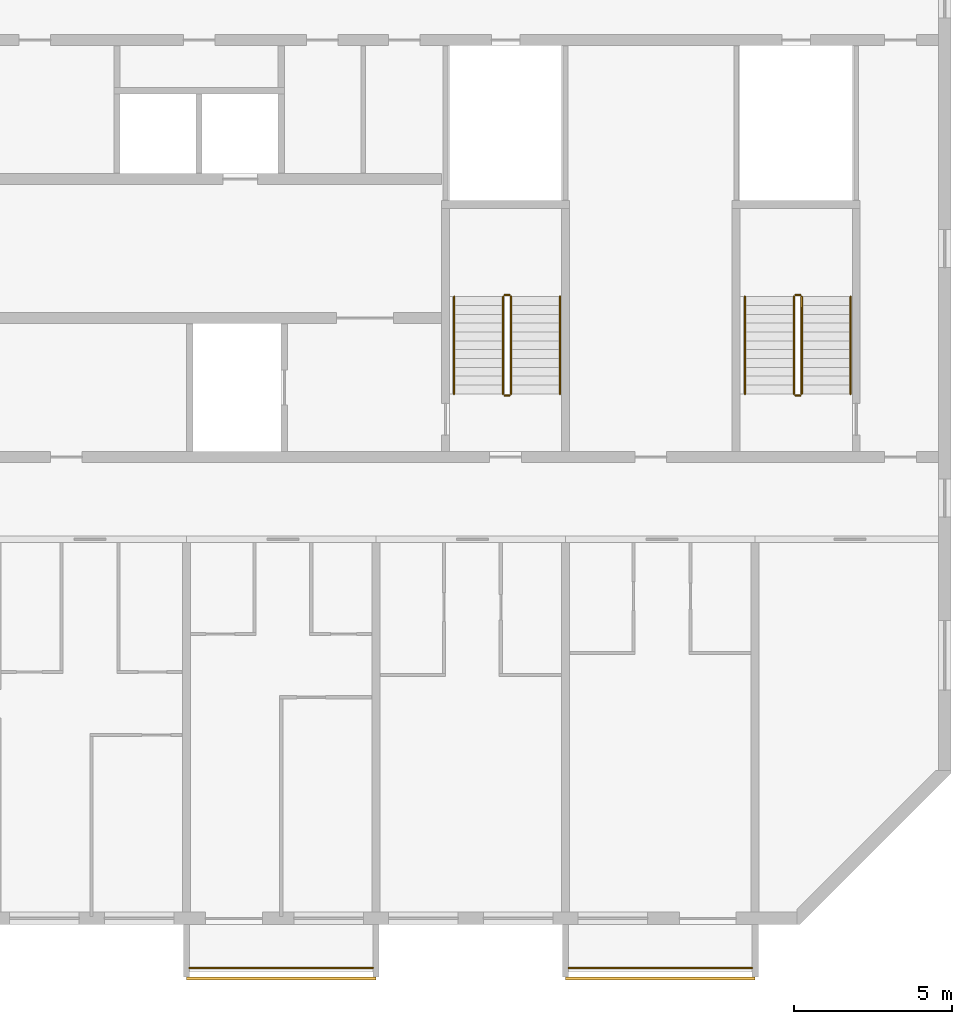
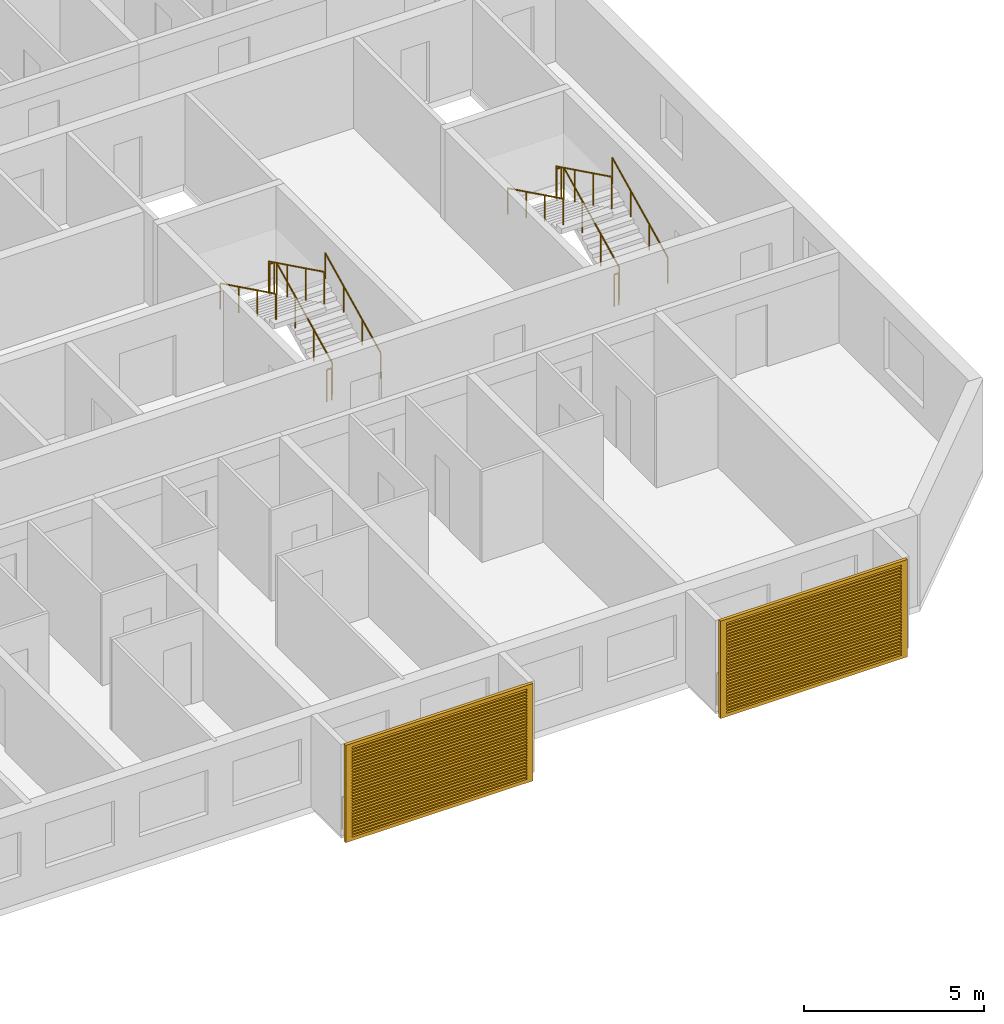
# One storey, part 14 of 26: 14 railings, 2 shading devices.
"""IFC4 building model written with IfcOpenShell, lengths in metres."""

from ifc_helpers import new_model, si_unit, direction, frame, origin, origin_2d, place, context, subcontext, project, spatial, polyline, circle, outline, extrude, source, transform, mapped, material, material_profile, profile_set, type_object, element, save


model = new_model("IFC4")

# Units and contexts
model_context = context("Model", 3, precision=1e-05, world=origin(), true_north=direction((0.0, 1.0)))
body_context = subcontext(model_context, "Body", "Model", "MODEL_VIEW")
ifc_project = project(units=[si_unit("LENGTHUNIT", "METRE"), si_unit("AREAUNIT", "SQUARE_METRE"), si_unit("VOLUMEUNIT", "CUBIC_METRE"), si_unit("PLANEANGLEUNIT", "RADIAN"), si_unit("MASSUNIT", "GRAM", prefix="KILO")], contexts=[model_context])

# Site, building, storey
site_placement = place(None, origin())
site = spatial("IfcSite", under=ifc_project, at=site_placement, CompositionType="ELEMENT")
building_placement = place(site_placement, origin())
building = spatial("IfcBuilding", under=site, at=building_placement, Name="Poui Terraces", CompositionType="ELEMENT")
storey_placement = place(building_placement, frame((0.0, 0.0, 241.199951171875)))
storey = spatial("IfcBuildingStorey", under=building, at=storey_placement, Name="L67", CompositionType="ELEMENT", Elevation=241.199951171875)

# Railings
ifc_material_1 = material(Name="Painted steel fretwork", Category="steel")
railing_type_1 = type_object("IfcRailingType", Name="BALCONY GUARD 1100", PredefinedType="GUARDRAIL", material=ifc_material_1)
for number, where, name in (
    (1, (60.10009765625, -1.570068359375, 0.0), "BALCONY GUARD"),
    (2, (72.10009765625, -1.570068359375, 0.0), "BALCONY GUARD"),
):
    element("IfcRailing", number, at=place(storey_placement, frame(where)), inside=storey, type_object=railing_type_1, Name=name, PredefinedType="GUARDRAIL", context=body_context, shape_type="SweptSolid", body=[
        extrude(circle(Radius=0.02392578125, at=origin_2d()), frame((0.0, 0.0, 1.076171875), z_axis=(1.0, 0.0, 0.0), x_axis=(0.0, 1.0, 0.0)), (0.0, 0.0, 1.0), 5.7998046875),
        extrude(circle(Radius=0.02099609375, at=origin_2d()), origin(), (0.0, 0.0, 1.0), 1.052001953125),
        extrude(circle(Radius=0.02099609375, at=origin_2d()), frame((0.966552734375, 0.0, 0.0)), (0.0, 0.0, 1.0), 1.052001953125),
        extrude(circle(Radius=0.02099609375, at=origin_2d()), frame((1.933349609375, 0.0, 0.0)), (0.0, 0.0, 1.0), 1.052001953125),
        extrude(circle(Radius=0.02099609375, at=origin_2d()), frame((2.89990234375, 0.0, 0.0)), (0.0, 0.0, 1.0), 1.052001953125),
        extrude(circle(Radius=0.02099609375, at=origin_2d()), frame((3.866455078125, 0.0, 0.0)), (0.0, 0.0, 1.0), 1.052001953125),
        extrude(circle(Radius=0.02099609375, at=origin_2d()), frame((4.833251953125, 0.0, 0.0)), (0.0, 0.0, 1.0), 1.052001953125),
        extrude(circle(Radius=0.02099609375, at=origin_2d()), frame((5.7998046875, 0.0, 0.0)), (0.0, 0.0, 1.0), 1.052001953125),
    ])
ifc_material_2 = material(Name="Galvanised steel balustrade", Category="steel")
railing_type_2 = type_object("IfcRailingType", Name="STAIR GUARD 1100", PredefinedType="GUARDRAIL", material=ifc_material_2)
railing_1_placement = place(storey_placement, frame((70.27490234375, 16.60009765625, 0.137451171875)))
element("IfcRailing", 3, at=railing_1_placement, inside=storey, type_object=railing_type_2, Name="L67 ST-CE stair guard 1", PredefinedType="GUARDRAIL", context=body_context, shape_type="SweptSolid", body=[
    extrude(circle(Radius=0.02392578125, at=origin_2d()), frame((0.0, 0.0, 1.076171875), z_axis=(0.0, 0.897578036475, 0.440855609512), x_axis=(-1.0, 0.0, 0.0)), (0.0, 0.0, 1.0), 3.43115234375),
    extrude(circle(Radius=0.02099609375, at=origin_2d()), origin(), (0.0, 0.0, 1.0), 1.052001953125),
    extrude(circle(Radius=0.02099609375, at=origin_2d()), frame((0.0, 1.026611328125, 0.504150390625)), (0.0, 0.0, 1.0), 1.052001953125),
    extrude(circle(Radius=0.02099609375, at=origin_2d()), frame((0.0, 2.05322265625, 1.008544921875)), (0.0, 0.0, 1.0), 1.052001953125),
    extrude(circle(Radius=0.02099609375, at=origin_2d()), frame((0.0, 3.079833984375, 1.5126953125)), (0.0, 0.0, 1.0), 1.052001953125),
])
railing_2_placement = place(storey_placement, frame((70.22509765625, 19.72998046875, 1.650146484375)))
element("IfcRailing", 4, at=railing_2_placement, inside=storey, type_object=railing_type_2, Name="L67 ST-CE stair guard 2", PredefinedType="GUARDRAIL", context=body_context, shape_type="SweptSolid", body=[
    extrude(circle(Radius=0.02392578125, at=origin_2d()), frame((0.0, 0.0, 1.076171875), z_axis=(-1.0, 0.0, 0.0), x_axis=(0.0, -1.0, 0.0)), (0.0, 0.0, 1.0), 0.150146484375),
    extrude(circle(Radius=0.02099609375, at=origin_2d()), origin(), (0.0, 0.0, 1.0), 1.052001953125),
    extrude(circle(Radius=0.02099609375, at=origin_2d()), frame((-0.150146484375, 0.0, 0.0)), (0.0, 0.0, 1.0), 1.052001953125),
])
railing_3_placement = place(storey_placement, frame((70.02490234375, 19.679931640625, 1.78759765625)))
element("IfcRailing", 5, at=railing_3_placement, inside=storey, type_object=railing_type_2, Name="L67 ST-CE stair guard 3", PredefinedType="GUARDRAIL", context=body_context, shape_type="SweptSolid", body=[
    extrude(circle(Radius=0.02392578125, at=origin_2d()), frame((0.0, 0.0, 1.076171875), z_axis=(0.0, -0.897606190399, 0.440798283751), x_axis=(1.0, 0.0, 0.0)), (0.0, 0.0, 1.0), 3.43115234375),
    extrude(circle(Radius=0.02099609375, at=origin_2d()), origin(), (0.0, 0.0, 1.0), 1.052001953125),
    extrude(circle(Radius=0.02099609375, at=origin_2d()), frame((0.0, -1.026611328125, 0.504150390625)), (0.0, 0.0, 1.0), 1.052001953125),
    extrude(circle(Radius=0.02099609375, at=origin_2d()), frame((0.0, -2.05322265625, 1.00830078125)), (0.0, 0.0, 1.0), 1.052001953125),
    extrude(circle(Radius=0.02099609375, at=origin_2d()), frame((0.0, -3.079833984375, 1.512451171875)), (0.0, 0.0, 1.0), 1.052001953125),
])
railing_4_placement = place(storey_placement, frame((70.22509765625, 16.550048828125, 0.0)))
element("IfcRailing", 6, at=railing_4_placement, inside=storey, type_object=railing_type_2, Name="L67 ST-CE stair guard 4", PredefinedType="GUARDRAIL", context=body_context, shape_type="SweptSolid", body=[
    extrude(circle(Radius=0.02392578125, at=origin_2d()), frame((0.0, 0.0, 1.076171875), z_axis=(-1.0, 0.0, 0.0), x_axis=(0.0, -1.0, 0.0)), (0.0, 0.0, 1.0), 0.150146484375),
    extrude(circle(Radius=0.02099609375, at=origin_2d()), origin(), (0.0, 0.0, 1.0), 1.052001953125),
    extrude(circle(Radius=0.02099609375, at=origin_2d()), frame((-0.150146484375, 0.0, 0.0)), (0.0, 0.0, 1.0), 1.052001953125),
])
railing_5_placement = place(storey_placement, frame((79.47509765625, 16.60009765625, 0.137451171875)))
element("IfcRailing", 7, at=railing_5_placement, inside=storey, type_object=railing_type_2, Name="L67 ST-E stair guard 1", PredefinedType="GUARDRAIL", context=body_context, shape_type="SweptSolid", body=[
    extrude(circle(Radius=0.02392578125, at=origin_2d()), frame((0.0, 0.0, 1.076171875), z_axis=(0.0, 0.897578036475, 0.440855609512), x_axis=(-1.0, 0.0, 0.0)), (0.0, 0.0, 1.0), 3.43115234375),
    extrude(circle(Radius=0.02099609375, at=origin_2d()), origin(), (0.0, 0.0, 1.0), 1.052001953125),
    extrude(circle(Radius=0.02099609375, at=origin_2d()), frame((0.0, 1.026611328125, 0.504150390625)), (0.0, 0.0, 1.0), 1.052001953125),
    extrude(circle(Radius=0.02099609375, at=origin_2d()), frame((0.0, 2.05322265625, 1.008544921875)), (0.0, 0.0, 1.0), 1.052001953125),
    extrude(circle(Radius=0.02099609375, at=origin_2d()), frame((0.0, 3.079833984375, 1.5126953125)), (0.0, 0.0, 1.0), 1.052001953125),
])
railing_6_placement = place(storey_placement, frame((79.425048828125, 19.72998046875, 1.650146484375)))
element("IfcRailing", 8, at=railing_6_placement, inside=storey, type_object=railing_type_2, Name="L67 ST-E stair guard 2", PredefinedType="GUARDRAIL", context=body_context, shape_type="SweptSolid", body=[
    extrude(circle(Radius=0.02392578125, at=origin_2d()), frame((0.0, 0.0, 1.076171875), z_axis=(-1.0, 0.0, 0.0), x_axis=(0.0, -1.0, 0.0)), (0.0, 0.0, 1.0), 0.150146484375),
    extrude(circle(Radius=0.02099609375, at=origin_2d()), origin(), (0.0, 0.0, 1.0), 1.052001953125),
    extrude(circle(Radius=0.02099609375, at=origin_2d()), frame((-0.150146484375, 0.0, 0.0)), (0.0, 0.0, 1.0), 1.052001953125),
])
railing_7_placement = place(storey_placement, frame((79.22509765625, 19.679931640625, 1.78759765625)))
element("IfcRailing", 9, at=railing_7_placement, inside=storey, type_object=railing_type_2, Name="L67 ST-E stair guard 3", PredefinedType="GUARDRAIL", context=body_context, shape_type="SweptSolid", body=[
    extrude(circle(Radius=0.02392578125, at=origin_2d()), frame((0.0, 0.0, 1.076171875), z_axis=(0.0, -0.897606190399, 0.440798283751), x_axis=(1.0, 0.0, 0.0)), (0.0, 0.0, 1.0), 3.43115234375),
    extrude(circle(Radius=0.02099609375, at=origin_2d()), origin(), (0.0, 0.0, 1.0), 1.052001953125),
    extrude(circle(Radius=0.02099609375, at=origin_2d()), frame((0.0, -1.026611328125, 0.504150390625)), (0.0, 0.0, 1.0), 1.052001953125),
    extrude(circle(Radius=0.02099609375, at=origin_2d()), frame((0.0, -2.05322265625, 1.00830078125)), (0.0, 0.0, 1.0), 1.052001953125),
    extrude(circle(Radius=0.02099609375, at=origin_2d()), frame((0.0, -3.079833984375, 1.512451171875)), (0.0, 0.0, 1.0), 1.052001953125),
])
railing_8_placement = place(storey_placement, frame((79.425048828125, 16.550048828125, 0.0)))
element("IfcRailing", 10, at=railing_8_placement, inside=storey, type_object=railing_type_2, Name="L67 ST-E stair guard 4", PredefinedType="GUARDRAIL", context=body_context, shape_type="SweptSolid", body=[
    extrude(circle(Radius=0.02392578125, at=origin_2d()), frame((0.0, 0.0, 1.076171875), z_axis=(-1.0, 0.0, 0.0), x_axis=(0.0, -1.0, 0.0)), (0.0, 0.0, 1.0), 0.150146484375),
    extrude(circle(Radius=0.02099609375, at=origin_2d()), origin(), (0.0, 0.0, 1.0), 1.052001953125),
    extrude(circle(Radius=0.02099609375, at=origin_2d()), frame((-0.150146484375, 0.0, 0.0)), (0.0, 0.0, 1.0), 1.052001953125),
])
ifc_material_3 = material(Name="Stainless steel handrail", Category="steel")
railing_type_3 = type_object("IfcRailingType", Name="STAIR HANDRAIL 900", PredefinedType="HANDRAIL", material=ifc_material_3)
railing_9_placement = place(storey_placement, frame((71.824951171875, 16.60009765625, 0.137451171875)))
element("IfcRailing", 11, at=railing_9_placement, inside=storey, type_object=railing_type_3, Name="L67 ST-CE stair handrail 1", PredefinedType="HANDRAIL", context=body_context, shape_type="SweptSolid", body=[
    extrude(circle(Radius=0.02392578125, at=origin_2d()), frame((0.0, 0.0, 0.8759765625), z_axis=(0.0, 0.897578036475, 0.440855609512), x_axis=(-1.0, 0.0, 0.0)), (0.0, 0.0, 1.0), 3.43115234375),
    extrude(circle(Radius=0.02099609375, at=origin_2d()), origin(), (0.0, 0.0, 1.0), 0.851806640625),
    extrude(circle(Radius=0.02099609375, at=origin_2d()), frame((0.0, 1.026611328125, 0.504150390625)), (0.0, 0.0, 1.0), 0.851806640625),
    extrude(circle(Radius=0.02099609375, at=origin_2d()), frame((0.0, 2.05322265625, 1.008544921875)), (0.0, 0.0, 1.0), 0.851806640625),
    extrude(circle(Radius=0.02099609375, at=origin_2d()), frame((0.0, 3.079833984375, 1.5126953125)), (0.0, 0.0, 1.0), 0.851806640625),
])
railing_10_placement = place(storey_placement, frame((68.47509765625, 19.679931640625, 1.78759765625)))
element("IfcRailing", 12, at=railing_10_placement, inside=storey, type_object=railing_type_3, Name="L67 ST-CE stair handrail 2", PredefinedType="HANDRAIL", context=body_context, shape_type="SweptSolid", body=[
    extrude(circle(Radius=0.02392578125, at=origin_2d()), frame((0.0, 0.0, 0.8759765625), z_axis=(0.0, -0.897606190399, 0.440798283751), x_axis=(1.0, 0.0, 0.0)), (0.0, 0.0, 1.0), 3.43115234375),
    extrude(circle(Radius=0.02099609375, at=origin_2d()), origin(), (0.0, 0.0, 1.0), 0.851806640625),
    extrude(circle(Radius=0.02099609375, at=origin_2d()), frame((0.0, -1.026611328125, 0.504150390625)), (0.0, 0.0, 1.0), 0.851806640625),
    extrude(circle(Radius=0.02099609375, at=origin_2d()), frame((0.0, -2.05322265625, 1.00830078125)), (0.0, 0.0, 1.0), 0.851806640625),
    extrude(circle(Radius=0.02099609375, at=origin_2d()), frame((0.0, -3.079833984375, 1.512451171875)), (0.0, 0.0, 1.0), 0.851806640625),
])
railing_11_placement = place(storey_placement, frame((81.02490234375, 16.60009765625, 0.137451171875)))
element("IfcRailing", 13, at=railing_11_placement, inside=storey, type_object=railing_type_3, Name="L67 ST-E stair handrail 1", PredefinedType="HANDRAIL", context=body_context, shape_type="SweptSolid", body=[
    extrude(circle(Radius=0.02392578125, at=origin_2d()), frame((0.0, 0.0, 0.8759765625), z_axis=(0.0, 0.897578036475, 0.440855609512), x_axis=(-1.0, 0.0, 0.0)), (0.0, 0.0, 1.0), 3.43115234375),
    extrude(circle(Radius=0.02099609375, at=origin_2d()), origin(), (0.0, 0.0, 1.0), 0.851806640625),
    extrude(circle(Radius=0.02099609375, at=origin_2d()), frame((0.0, 1.026611328125, 0.504150390625)), (0.0, 0.0, 1.0), 0.851806640625),
    extrude(circle(Radius=0.02099609375, at=origin_2d()), frame((0.0, 2.05322265625, 1.008544921875)), (0.0, 0.0, 1.0), 0.851806640625),
    extrude(circle(Radius=0.02099609375, at=origin_2d()), frame((0.0, 3.079833984375, 1.5126953125)), (0.0, 0.0, 1.0), 0.851806640625),
])
railing_12_placement = place(storey_placement, frame((77.675048828125, 19.679931640625, 1.78759765625)))
element("IfcRailing", 14, at=railing_12_placement, inside=storey, type_object=railing_type_3, Name="L67 ST-E stair handrail 2", PredefinedType="HANDRAIL", context=body_context, shape_type="SweptSolid", body=[
    extrude(circle(Radius=0.02392578125, at=origin_2d()), frame((0.0, 0.0, 0.8759765625), z_axis=(0.0, -0.897606190399, 0.440798283751), x_axis=(1.0, 0.0, 0.0)), (0.0, 0.0, 1.0), 3.43115234375),
    extrude(circle(Radius=0.02099609375, at=origin_2d()), origin(), (0.0, 0.0, 1.0), 0.851806640625),
    extrude(circle(Radius=0.02099609375, at=origin_2d()), frame((0.0, -1.026611328125, 0.504150390625)), (0.0, 0.0, 1.0), 0.851806640625),
    extrude(circle(Radius=0.02099609375, at=origin_2d()), frame((0.0, -2.05322265625, 1.00830078125)), (0.0, 0.0, 1.0), 0.851806640625),
    extrude(circle(Radius=0.02099609375, at=origin_2d()), frame((0.0, -3.079833984375, 1.512451171875)), (0.0, 0.0, 1.0), 0.851806640625),
])

# Shading devices
ifc_material_4 = material(Name="Aluminium louvre", Category="aluminium")
ifc_material_profile = material_profile(ifc_material_4, outline(polyline([(-3.0, -1.64990234375), (3.0, -1.64990234375), (3.0, 1.64990234375), (-3.0, 1.64990234375), (-3.0, -1.64990234375)]), holes=[polyline([(-2.800048828125, -1.530029296875), (2.800048828125, -1.530029296875), (2.800048828125, -1.469970703125), (-2.800048828125, -1.469970703125), (-2.800048828125, -1.530029296875)]), polyline([(-2.800048828125, -1.429931640625), (2.800048828125, -1.429931640625), (2.800048828125, -1.3701171875), (-2.800048828125, -1.3701171875), (-2.800048828125, -1.429931640625)]), polyline([(-2.800048828125, -1.330078125), (2.800048828125, -1.330078125), (2.800048828125, -1.27001953125), (-2.800048828125, -1.27001953125), (-2.800048828125, -1.330078125)]), polyline([(-2.800048828125, -1.22998046875), (2.800048828125, -1.22998046875), (2.800048828125, -1.169921875), (-2.800048828125, -1.169921875), (-2.800048828125, -1.22998046875)]), polyline([(-2.800048828125, -1.1298828125), (2.800048828125, -1.1298828125), (2.800048828125, -1.070068359375), (-2.800048828125, -1.070068359375), (-2.800048828125, -1.1298828125)]), polyline([(-2.800048828125, -1.030029296875), (2.800048828125, -1.030029296875), (2.800048828125, -0.969970703125), (-2.800048828125, -0.969970703125), (-2.800048828125, -1.030029296875)]), polyline([(-2.800048828125, -0.929931640625), (2.800048828125, -0.929931640625), (2.800048828125, -0.8701171875), (-2.800048828125, -0.8701171875), (-2.800048828125, -0.929931640625)]), polyline([(-2.800048828125, -0.830078125), (2.800048828125, -0.830078125), (2.800048828125, -0.77001953125), (-2.800048828125, -0.77001953125), (-2.800048828125, -0.830078125)]), polyline([(-2.800048828125, -0.72998046875), (2.800048828125, -0.72998046875), (2.800048828125, -0.669921875), (-2.800048828125, -0.669921875), (-2.800048828125, -0.72998046875)]), polyline([(-2.800048828125, -0.6298828125), (2.800048828125, -0.6298828125), (2.800048828125, -0.570068359375), (-2.800048828125, -0.570068359375), (-2.800048828125, -0.6298828125)]), polyline([(-2.800048828125, -0.530029296875), (2.800048828125, -0.530029296875), (2.800048828125, -0.469970703125), (-2.800048828125, -0.469970703125), (-2.800048828125, -0.530029296875)]), polyline([(-2.800048828125, -0.429931640625), (2.800048828125, -0.429931640625), (2.800048828125, -0.3701171875), (-2.800048828125, -0.3701171875), (-2.800048828125, -0.429931640625)]), polyline([(-2.800048828125, -0.330078125), (2.800048828125, -0.330078125), (2.800048828125, -0.27001953125), (-2.800048828125, -0.27001953125), (-2.800048828125, -0.330078125)]), polyline([(-2.800048828125, -0.22998046875), (2.800048828125, -0.22998046875), (2.800048828125, -0.169921875), (-2.800048828125, -0.169921875), (-2.800048828125, -0.22998046875)]), polyline([(-2.800048828125, -0.1298828125), (2.800048828125, -0.1298828125), (2.800048828125, -0.070068359375), (-2.800048828125, -0.070068359375), (-2.800048828125, -0.1298828125)]), polyline([(-2.800048828125, -0.030029296875), (2.800048828125, -0.030029296875), (2.800048828125, 0.030029296875), (-2.800048828125, 0.030029296875), (-2.800048828125, -0.030029296875)]), polyline([(-2.800048828125, 0.070068359375), (2.800048828125, 0.070068359375), (2.800048828125, 0.1298828125), (-2.800048828125, 0.1298828125), (-2.800048828125, 0.070068359375)]), polyline([(-2.800048828125, 0.169921875), (2.800048828125, 0.169921875), (2.800048828125, 0.22998046875), (-2.800048828125, 0.22998046875), (-2.800048828125, 0.169921875)]), polyline([(-2.800048828125, 0.27001953125), (2.800048828125, 0.27001953125), (2.800048828125, 0.330078125), (-2.800048828125, 0.330078125), (-2.800048828125, 0.27001953125)]), polyline([(-2.800048828125, 0.3701171875), (2.800048828125, 0.3701171875), (2.800048828125, 0.429931640625), (-2.800048828125, 0.429931640625), (-2.800048828125, 0.3701171875)]), polyline([(-2.800048828125, 0.469970703125), (2.800048828125, 0.469970703125), (2.800048828125, 0.530029296875), (-2.800048828125, 0.530029296875), (-2.800048828125, 0.469970703125)]), polyline([(-2.800048828125, 0.570068359375), (2.800048828125, 0.570068359375), (2.800048828125, 0.6298828125), (-2.800048828125, 0.6298828125), (-2.800048828125, 0.570068359375)]), polyline([(-2.800048828125, 0.669921875), (2.800048828125, 0.669921875), (2.800048828125, 0.72998046875), (-2.800048828125, 0.72998046875), (-2.800048828125, 0.669921875)]), polyline([(-2.800048828125, 0.77001953125), (2.800048828125, 0.77001953125), (2.800048828125, 0.830078125), (-2.800048828125, 0.830078125), (-2.800048828125, 0.77001953125)]), polyline([(-2.800048828125, 0.8701171875), (2.800048828125, 0.8701171875), (2.800048828125, 0.929931640625), (-2.800048828125, 0.929931640625), (-2.800048828125, 0.8701171875)]), polyline([(-2.800048828125, 0.969970703125), (2.800048828125, 0.969970703125), (2.800048828125, 1.030029296875), (-2.800048828125, 1.030029296875), (-2.800048828125, 0.969970703125)]), polyline([(-2.800048828125, 1.070068359375), (2.800048828125, 1.070068359375), (2.800048828125, 1.1298828125), (-2.800048828125, 1.1298828125), (-2.800048828125, 1.070068359375)]), polyline([(-2.800048828125, 1.169921875), (2.800048828125, 1.169921875), (2.800048828125, 1.22998046875), (-2.800048828125, 1.22998046875), (-2.800048828125, 1.169921875)]), polyline([(-2.800048828125, 1.27001953125), (2.800048828125, 1.27001953125), (2.800048828125, 1.330078125), (-2.800048828125, 1.330078125), (-2.800048828125, 1.27001953125)]), polyline([(-2.800048828125, 1.3701171875), (2.800048828125, 1.3701171875), (2.800048828125, 1.429931640625), (-2.800048828125, 1.429931640625), (-2.800048828125, 1.3701171875)]), polyline([(-2.800048828125, 1.469970703125), (2.800048828125, 1.469970703125), (2.800048828125, 1.530029296875), (-2.800048828125, 1.530029296875), (-2.800048828125, 1.469970703125)])]), Name="JALOUSIE LOUVRE SHUTTER 6000X3300")
ifc_profile_set = profile_set([ifc_material_profile], Name="Aluminium louvre")
shading_device_type = type_object("IfcShadingDeviceType", Name="JALOUSIE LOUVRE SHUTTER 6000X3300", PredefinedType="JALOUSIE", material=ifc_profile_set)
shared_shape = source(origin(), body_context, "Body", "SweptSolid", [
    extrude(outline(polyline([(-3.0, -1.64990234375), (3.0, -1.64990234375), (3.0, 1.64990234375), (-3.0, 1.64990234375), (-3.0, -1.64990234375)]), holes=[polyline([(-2.800048828125, -1.530029296875), (2.800048828125, -1.530029296875), (2.800048828125, -1.469970703125), (-2.800048828125, -1.469970703125), (-2.800048828125, -1.530029296875)]), polyline([(-2.800048828125, -1.429931640625), (2.800048828125, -1.429931640625), (2.800048828125, -1.3701171875), (-2.800048828125, -1.3701171875), (-2.800048828125, -1.429931640625)]), polyline([(-2.800048828125, -1.330078125), (2.800048828125, -1.330078125), (2.800048828125, -1.27001953125), (-2.800048828125, -1.27001953125), (-2.800048828125, -1.330078125)]), polyline([(-2.800048828125, -1.22998046875), (2.800048828125, -1.22998046875), (2.800048828125, -1.169921875), (-2.800048828125, -1.169921875), (-2.800048828125, -1.22998046875)]), polyline([(-2.800048828125, -1.1298828125), (2.800048828125, -1.1298828125), (2.800048828125, -1.070068359375), (-2.800048828125, -1.070068359375), (-2.800048828125, -1.1298828125)]), polyline([(-2.800048828125, -1.030029296875), (2.800048828125, -1.030029296875), (2.800048828125, -0.969970703125), (-2.800048828125, -0.969970703125), (-2.800048828125, -1.030029296875)]), polyline([(-2.800048828125, -0.929931640625), (2.800048828125, -0.929931640625), (2.800048828125, -0.8701171875), (-2.800048828125, -0.8701171875), (-2.800048828125, -0.929931640625)]), polyline([(-2.800048828125, -0.830078125), (2.800048828125, -0.830078125), (2.800048828125, -0.77001953125), (-2.800048828125, -0.77001953125), (-2.800048828125, -0.830078125)]), polyline([(-2.800048828125, -0.72998046875), (2.800048828125, -0.72998046875), (2.800048828125, -0.669921875), (-2.800048828125, -0.669921875), (-2.800048828125, -0.72998046875)]), polyline([(-2.800048828125, -0.6298828125), (2.800048828125, -0.6298828125), (2.800048828125, -0.570068359375), (-2.800048828125, -0.570068359375), (-2.800048828125, -0.6298828125)]), polyline([(-2.800048828125, -0.530029296875), (2.800048828125, -0.530029296875), (2.800048828125, -0.469970703125), (-2.800048828125, -0.469970703125), (-2.800048828125, -0.530029296875)]), polyline([(-2.800048828125, -0.429931640625), (2.800048828125, -0.429931640625), (2.800048828125, -0.3701171875), (-2.800048828125, -0.3701171875), (-2.800048828125, -0.429931640625)]), polyline([(-2.800048828125, -0.330078125), (2.800048828125, -0.330078125), (2.800048828125, -0.27001953125), (-2.800048828125, -0.27001953125), (-2.800048828125, -0.330078125)]), polyline([(-2.800048828125, -0.22998046875), (2.800048828125, -0.22998046875), (2.800048828125, -0.169921875), (-2.800048828125, -0.169921875), (-2.800048828125, -0.22998046875)]), polyline([(-2.800048828125, -0.1298828125), (2.800048828125, -0.1298828125), (2.800048828125, -0.070068359375), (-2.800048828125, -0.070068359375), (-2.800048828125, -0.1298828125)]), polyline([(-2.800048828125, -0.030029296875), (2.800048828125, -0.030029296875), (2.800048828125, 0.030029296875), (-2.800048828125, 0.030029296875), (-2.800048828125, -0.030029296875)]), polyline([(-2.800048828125, 0.070068359375), (2.800048828125, 0.070068359375), (2.800048828125, 0.1298828125), (-2.800048828125, 0.1298828125), (-2.800048828125, 0.070068359375)]), polyline([(-2.800048828125, 0.169921875), (2.800048828125, 0.169921875), (2.800048828125, 0.22998046875), (-2.800048828125, 0.22998046875), (-2.800048828125, 0.169921875)]), polyline([(-2.800048828125, 0.27001953125), (2.800048828125, 0.27001953125), (2.800048828125, 0.330078125), (-2.800048828125, 0.330078125), (-2.800048828125, 0.27001953125)]), polyline([(-2.800048828125, 0.3701171875), (2.800048828125, 0.3701171875), (2.800048828125, 0.429931640625), (-2.800048828125, 0.429931640625), (-2.800048828125, 0.3701171875)]), polyline([(-2.800048828125, 0.469970703125), (2.800048828125, 0.469970703125), (2.800048828125, 0.530029296875), (-2.800048828125, 0.530029296875), (-2.800048828125, 0.469970703125)]), polyline([(-2.800048828125, 0.570068359375), (2.800048828125, 0.570068359375), (2.800048828125, 0.6298828125), (-2.800048828125, 0.6298828125), (-2.800048828125, 0.570068359375)]), polyline([(-2.800048828125, 0.669921875), (2.800048828125, 0.669921875), (2.800048828125, 0.72998046875), (-2.800048828125, 0.72998046875), (-2.800048828125, 0.669921875)]), polyline([(-2.800048828125, 0.77001953125), (2.800048828125, 0.77001953125), (2.800048828125, 0.830078125), (-2.800048828125, 0.830078125), (-2.800048828125, 0.77001953125)]), polyline([(-2.800048828125, 0.8701171875), (2.800048828125, 0.8701171875), (2.800048828125, 0.929931640625), (-2.800048828125, 0.929931640625), (-2.800048828125, 0.8701171875)]), polyline([(-2.800048828125, 0.969970703125), (2.800048828125, 0.969970703125), (2.800048828125, 1.030029296875), (-2.800048828125, 1.030029296875), (-2.800048828125, 0.969970703125)]), polyline([(-2.800048828125, 1.070068359375), (2.800048828125, 1.070068359375), (2.800048828125, 1.1298828125), (-2.800048828125, 1.1298828125), (-2.800048828125, 1.070068359375)]), polyline([(-2.800048828125, 1.169921875), (2.800048828125, 1.169921875), (2.800048828125, 1.22998046875), (-2.800048828125, 1.22998046875), (-2.800048828125, 1.169921875)]), polyline([(-2.800048828125, 1.27001953125), (2.800048828125, 1.27001953125), (2.800048828125, 1.330078125), (-2.800048828125, 1.330078125), (-2.800048828125, 1.27001953125)]), polyline([(-2.800048828125, 1.3701171875), (2.800048828125, 1.3701171875), (2.800048828125, 1.429931640625), (-2.800048828125, 1.429931640625), (-2.800048828125, 1.3701171875)]), polyline([(-2.800048828125, 1.469970703125), (2.800048828125, 1.469970703125), (2.800048828125, 1.530029296875), (-2.800048828125, 1.530029296875), (-2.800048828125, 1.469970703125)])]), origin(), (0.0, 0.0, 1.0), 0.099853515625),
])
for number, where, z_axis, x_axis, name in (
    (15, (63.0, -1.85009765625, 1.449951171875), (0.0, -1.0, 0.0), (1.0, 0.0, 0.0), "JALOUSIE LOUVRE SHUTTER"),
    (16, (75.0, -1.85009765625, 1.449951171875), (0.0, -1.0, 0.0), (1.0, 0.0, 0.0), "JALOUSIE LOUVRE SHUTTER"),
):
    element("IfcShadingDevice", number, at=place(storey_placement, frame(where, z_axis=z_axis, x_axis=x_axis)), inside=storey, type_object=shading_device_type, Name=name, PredefinedType="JALOUSIE", context=body_context, shape_type="MappedRepresentation", body=[
        mapped(shared_shape, transform((0.0, 0.0, 0.0))),
    ])

save(model, "model.ifc")
